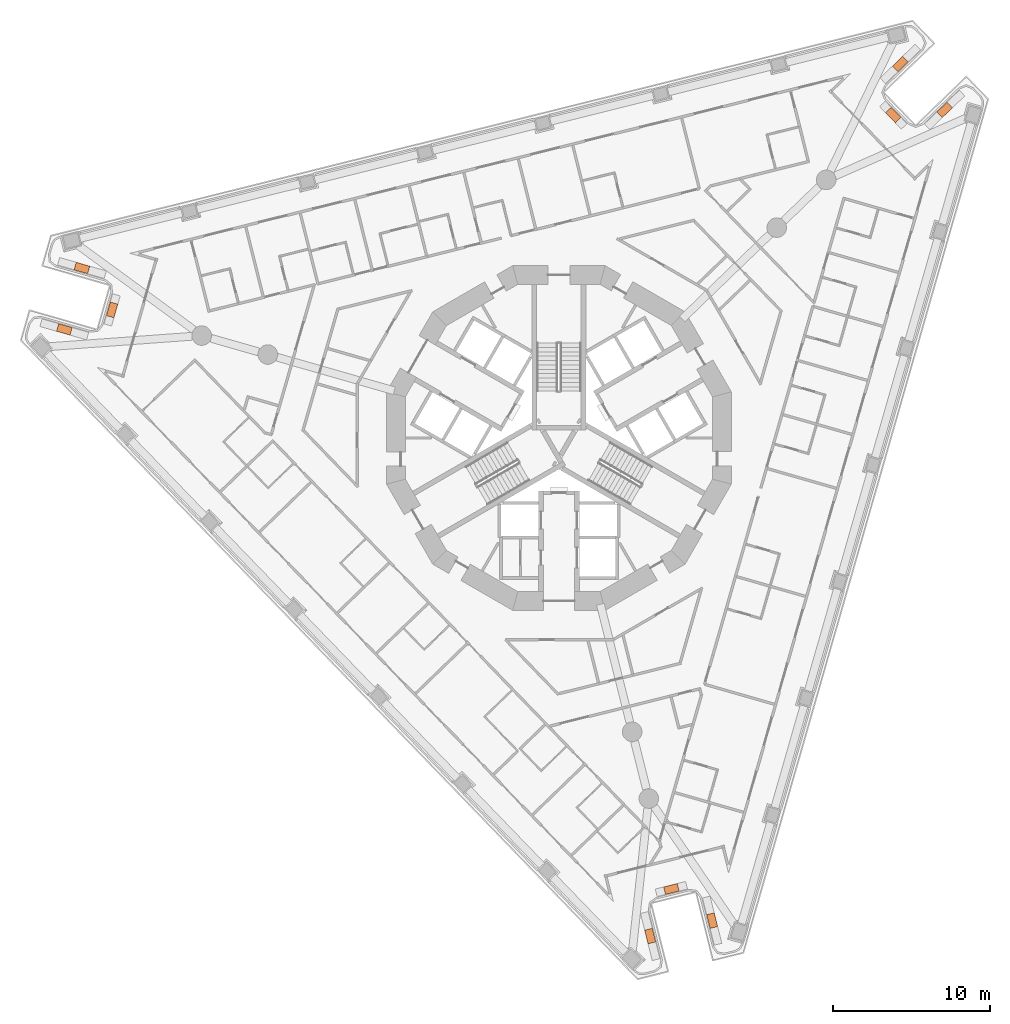
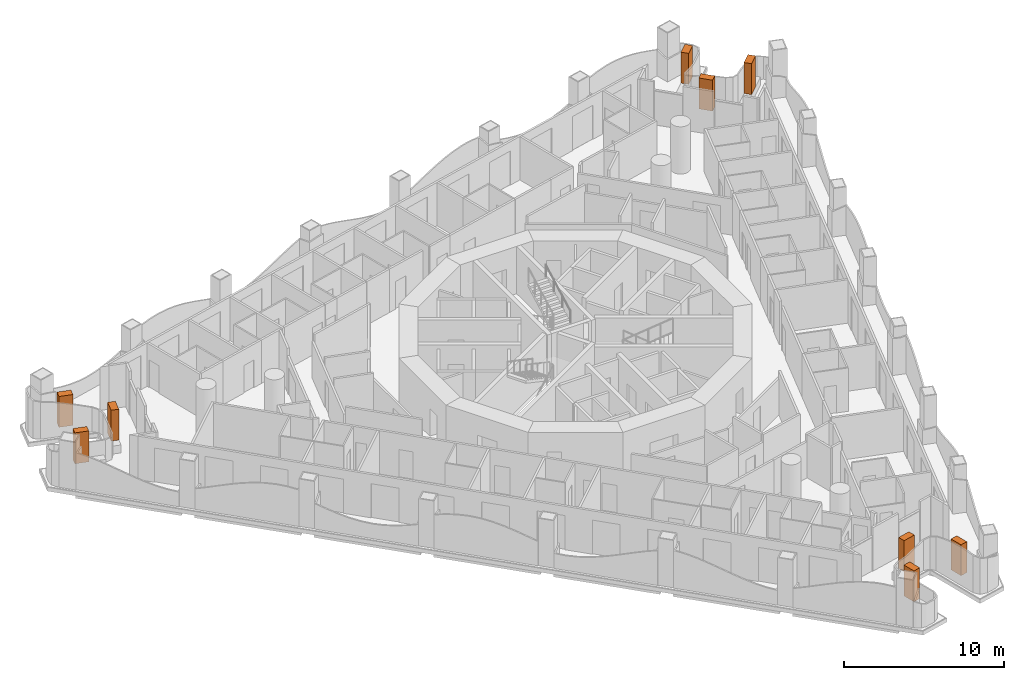
# One storey, part 20 of 20: 9 geographic elements.
"""IFC4 building model written with IfcOpenShell, lengths in metres."""

from ifc_helpers import new_model, si_unit, direction, frame, origin, origin_2d, place, context, subcontext, project, spatial, rectangle, extrude, element, save


model = new_model("IFC4")

# Units and contexts
model_context = context("Model", 3, precision=1e-05, world=origin(), true_north=direction((0.0, 1.0)))
body_context = subcontext(model_context, "Body", "Model", "MODEL_VIEW")
ifc_project = project(units=[si_unit("LENGTHUNIT", "METRE"), si_unit("AREAUNIT", "SQUARE_METRE"), si_unit("VOLUMEUNIT", "CUBIC_METRE"), si_unit("PLANEANGLEUNIT", "RADIAN"), si_unit("MASSUNIT", "GRAM", prefix="KILO")], contexts=[model_context])

# Site, building, storey
site_placement = place(None, origin())
site = spatial("IfcSite", under=ifc_project, at=site_placement, CompositionType="ELEMENT")
building_placement = place(site_placement, origin())
building = spatial("IfcBuilding", under=site, at=building_placement, Name="Trine Commons Tower", CompositionType="ELEMENT")
storey_placement = place(building_placement, frame((0.0, 0.0, 108.89990234375)))
storey = spatial("IfcBuildingStorey", under=building, at=storey_placement, Name="L27", CompositionType="ELEMENT", Elevation=108.89990234375)

# Geographic elements
for number, where, z_axis, x_axis, name in (
    (1, (48.400634765625, 69.438720703125, 0.60009765625), (0.0, 0.0, 1.0), (0.961260733777, -0.275640711252, 0.0), "Tree 1.1"),
    (2, (51.45263671875, 70.685791015625, 0.60009765625), (0.0, 0.0, 1.0), (0.275645744397, 0.961259290512, 0.0), "Tree 2.1"),
    (3, (49.525146484375, 73.360595703125, 0.60009765625), (0.0, 0.0, 1.0), (-0.961262658088, 0.275634000379, 0.0), "Tree 3.1"),
    (4, (101.808837890625, 86.396484375, 0.60009765625), (0.0, 0.0, 1.0), (-0.719332525854, -0.69466590333, 0.0), "Tree 4.1"),
    (5, (101.36279296875, 83.1298828125, 0.60009765625), (0.0, 0.0, 1.0), (0.694658370459, -0.719339800339, 0.0), "Tree 5.1"),
    (6, (104.64306640625, 83.461669921875, 0.60009765625), (0.0, 0.0, 1.0), (0.719362835687, 0.694634515866, 0.0), "Tree 6.1"),
    (7, (89.79052734375, 31.664794921875, 0.60009765625), (0.0, 0.0, 1.0), (-0.241908347692, 0.970299104048, 0.0), "Tree 7.1"),
    (8, (87.1845703125, 33.684326171875, 0.60009765625), (0.0, 0.0, 1.0), (-0.970297415186, -0.241915121652, 0.0), "Tree 8.1"),
    (9, (85.831787109375, 30.677734375, 0.60009765625), (0.0, 0.0, 1.0), (0.241908347692, -0.970299104048, 0.0), "Tree 9.1"),
):
    element("IfcGeographicElement", number, at=place(storey_placement, frame(where, z_axis=z_axis, x_axis=x_axis)), inside=storey, Name=name, ObjectType="TREE Tabebuia rosea", PredefinedType="USERDEFINED", context=body_context, shape_type="SweptSolid", body=[
        extrude(rectangle(XDim=0.89990234375, YDim=0.5, at=origin_2d()), origin(), (0.0, 0.0, 1.0), 2.35009765625),
    ])

save(model, "model.ifc")
